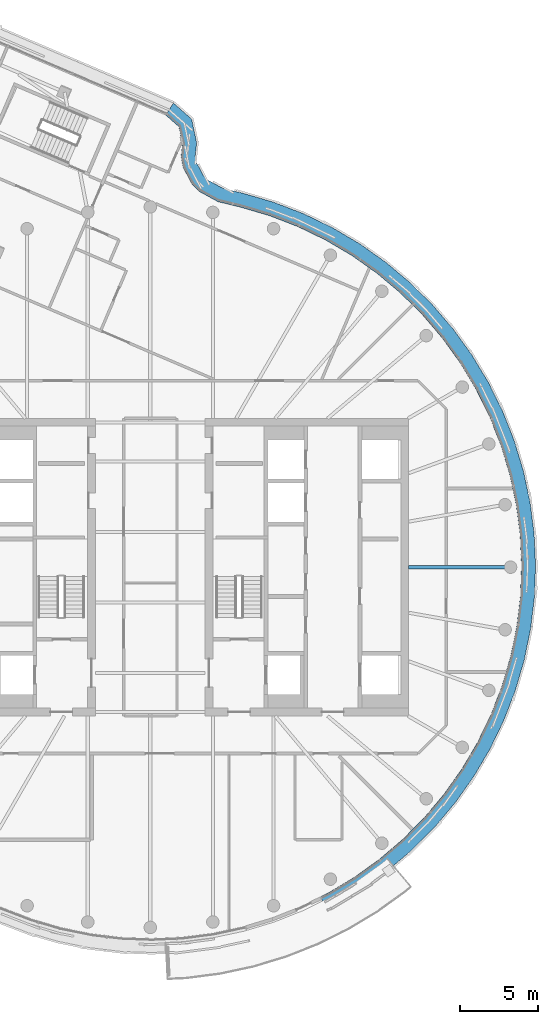
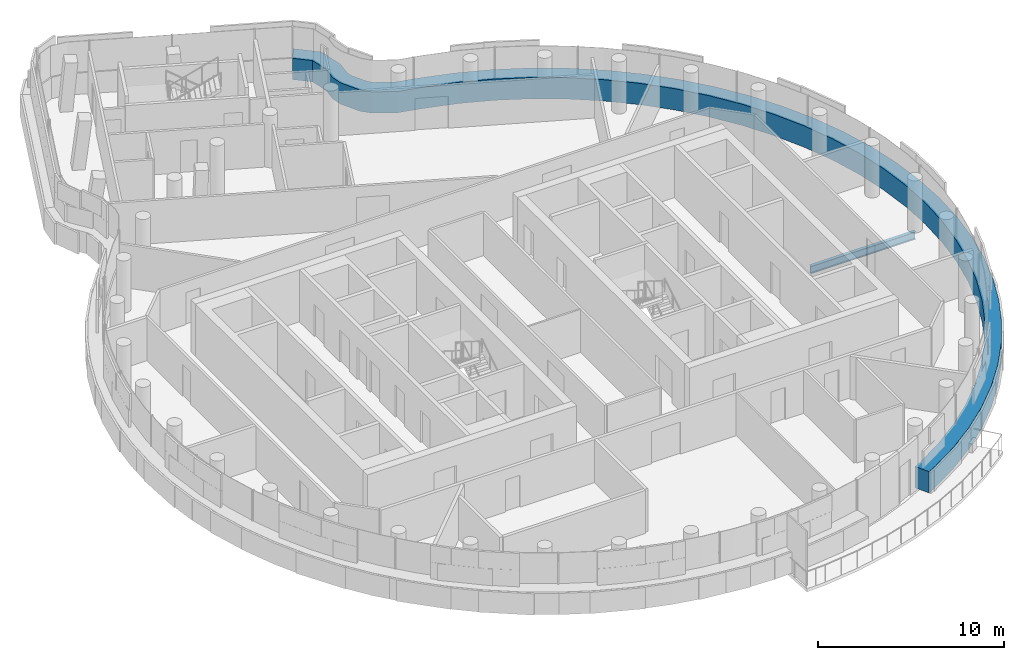
# One storey, part 6 of 20: 1 beam, 1 member, 1 element without a shape of its own.
"""IFC4 building model written with IfcOpenShell, lengths in metres."""

from ifc_helpers import new_model, si_unit, direction, frame, origin, origin_2d, place, context, subcontext, project, spatial, polyline, i_section, outline, extrude, material, layer, layer_set, material_profile, profile_set, type_object, element, aggregate, save


model = new_model("IFC4")

# Units and contexts
model_context = context("Model", 3, precision=1e-05, world=origin(), true_north=direction((0.0, 1.0)))
body_context = subcontext(model_context, "Body", "Model", "MODEL_VIEW")
ifc_project = project(units=[si_unit("LENGTHUNIT", "METRE"), si_unit("AREAUNIT", "SQUARE_METRE"), si_unit("VOLUMEUNIT", "CUBIC_METRE"), si_unit("PLANEANGLEUNIT", "RADIAN"), si_unit("MASSUNIT", "GRAM", prefix="KILO")], contexts=[model_context])

# Site, building, storey
site_placement = place(None, origin())
site = spatial("IfcSite", under=ifc_project, at=site_placement, CompositionType="ELEMENT")
building_placement = place(site_placement, origin())
building = spatial("IfcBuilding", under=site, at=building_placement, Name="Tamarind Cross Interchange Tower", CompositionType="ELEMENT")
storey_placement = place(building_placement, frame((0.0, 0.0, 274.800048828125)))
storey = spatial("IfcBuildingStorey", under=building, at=storey_placement, Name="L70", CompositionType="ELEMENT", Elevation=274.800048828125)

# Beam
ifc_material_1 = material(Name="Steel Q355B", Category="steel")
ifc_material_profile = material_profile(ifc_material_1, i_section(OverallWidth=0.198974609375, OverallDepth=0.49609375, WebThickness=0.009033203125, FlangeThickness=0.013916015625, FilletRadius=0.012939453125, at=origin_2d()), Name="HN 496x199x9x14")
ifc_profile_set = profile_set([ifc_material_profile], Name="Steel Q355B")
beam_type = type_object("IfcBeamType", Name="Composite beam HN 496x199x9x14 Q355B", PredefinedType="BEAM", material=ifc_profile_set)
beam_placement = place(storey_placement, frame((23.0, 0.0, -0.387939453125), z_axis=(-1.0, 0.0, 0.0), x_axis=(0.0, -1.0, 0.0)))
element("IfcBeam", 1, at=beam_placement, inside=storey, type_object=beam_type, Name="Beam HH00", PredefinedType="BEAM", context=body_context, shape_type="SweptSolid", body=[
    extrude(i_section(OverallWidth=0.198974609375, OverallDepth=0.49609375, WebThickness=0.009033203125, FlangeThickness=0.013916015625, FilletRadius=0.012939453125, at=origin_2d()), origin(), (0.0, 0.0, 1.0), 6.5),
])

# Curtain wall, member
ifc_material_2 = material(Name="Aluminium 6063-T6", Category="aluminium")
ifc_layer = layer(ifc_material_2, 0.139892578125)
ifc_layer_set = layer_set([ifc_layer], Name="Aluminium 6063-T6")
curtain_wall_type = type_object("IfcCurtainWallType", Name="Hotel curtain wall, 4.5 m bays", PredefinedType="NOTDEFINED", material=ifc_layer_set)
curtain_wall_placement = place(storey_placement, origin())
curtain_wall = element("IfcCurtainWall", 2, at=curtain_wall_placement, inside=storey, type_object=curtain_wall_type, Name="CWS-L70-01", PredefinedType="NOTDEFINED")
ifc_material_3 = material(Name="Aluminium and insulated spandrel panel", Category="aluminium")
member_type = type_object("IfcMemberType", Name="Floor-edge blade transom", PredefinedType="USERDEFINED", material=ifc_material_3)
member_placement = place(storey_placement, origin())
member = element("IfcMember", 3, at=member_placement, type_object=member_type, Name="CWT-L70-01-1", ObjectType="TRANSOM", PredefinedType="USERDEFINED", context=body_context, shape_type="SweptSolid", body=[
    extrude(outline(polyline([(10.853515625, -21.044921875), (11.367431640625, -20.791015625), (13.045654296875, -19.78125), (14.634521484375, -18.636474609375), (16.12353515625, -17.3642578125), (17.50244140625, -15.973388671875), (18.76171875, -14.4736328125), (19.892822265625, -12.874755859375), (20.88818359375, -11.188232421875), (21.74072265625, -9.425048828125), (22.444580078125, -7.597412109375), (22.995361328125, -5.718017578125), (23.38916015625, -3.799560546875), (23.623046875, -1.855224609375), (23.695556640625, 0.10205078125), (23.606201171875, 2.058349609375), (23.35546875, 4.000732421875), (22.9453125, 5.915771484375), (22.37841796875, 7.790283203125), (21.65869140625, 9.61181640625), (20.791015625, 11.367431640625), (19.78125, 13.045654296875), (18.636474609375, 14.634521484375), (17.3642578125, 16.12353515625), (15.973388671875, 17.50244140625), (14.4736328125, 18.76171875), (12.874755859375, 19.892822265625), (11.188232421875, 20.88818359375), (9.425048828125, 21.74072265625), (7.597412109375, 22.444580078125), (5.712890625, 22.996826171875), (4.322265625, 23.333251953125), (3.10986328125, 23.997802734375), (2.650390625, 24.46728515625), (2.07861328125, 25.56494140625), (1.957275390625, 26.210693359375), (2.049072265625, 27.04833984375), (1.818359375, 28.13134765625), (0.98779296875, 28.86376953125), (1.474609375, 29.634521484375), (2.636474609375, 28.609619140625), (2.95947265625, 27.09423828125), (2.866455078125, 26.24560546875), (2.9384765625, 25.8623046875), (3.38671875, 25.00146484375), (3.65966796875, 24.72265625), (4.64990234375, 24.179931640625), (5.945556640625, 23.86669921875), (7.88623046875, 23.2978515625), (9.783203125, 22.567138671875), (11.613525390625, 21.68212890625), (13.3642578125, 20.64892578125), (15.023681640625, 19.474853515625), (16.580810546875, 18.167724609375), (18.0244140625, 16.736572265625), (19.344970703125, 15.19091796875), (20.533203125, 13.54150390625), (21.581298828125, 11.799560546875), (22.482177734375, 9.97705078125), (23.229248046875, 8.08642578125), (23.817626953125, 6.140625), (24.243408203125, 4.15283203125), (24.50341796875, 2.13671875), (24.59619140625, 0.10595703125), (24.52099609375, -1.925537109375), (24.2783203125, -3.944091796875), (23.86962890625, -5.935302734375), (23.2978515625, -7.88623046875), (22.567138671875, -9.783203125), (21.68212890625, -11.613525390625), (20.64892578125, -13.3642578125), (19.474853515625, -15.023681640625), (18.167724609375, -16.580810546875), (16.736572265625, -18.0244140625), (15.19091796875, -19.344970703125), (13.54150390625, -20.533203125), (11.799560546875, -21.581298828125), (11.26611328125, -21.844970703125), (10.853515625, -21.044921875)])), origin(), (0.0, 0.0, 1.0), 1.39990234375),
])
aggregate(curtain_wall, [member])

save(model, "model.ifc")
